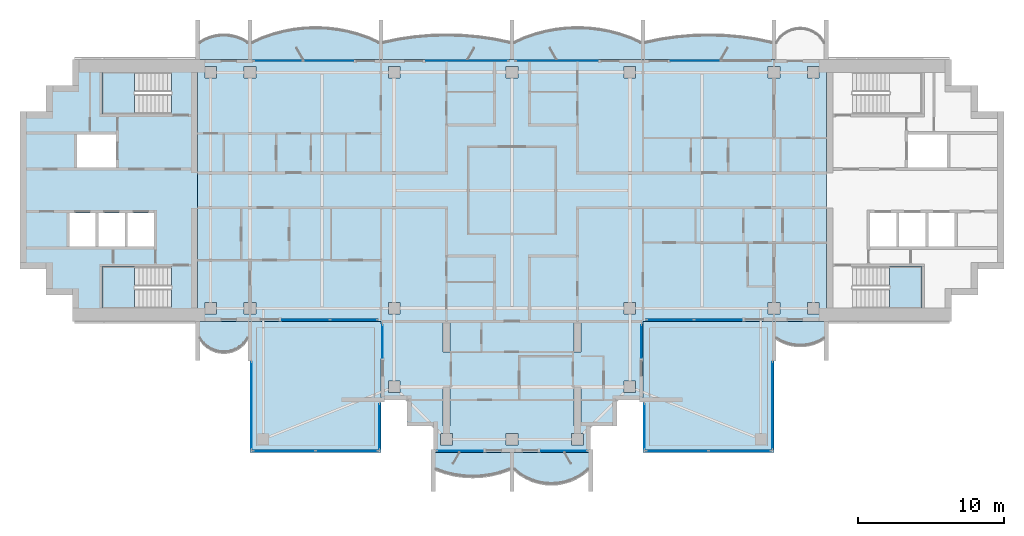
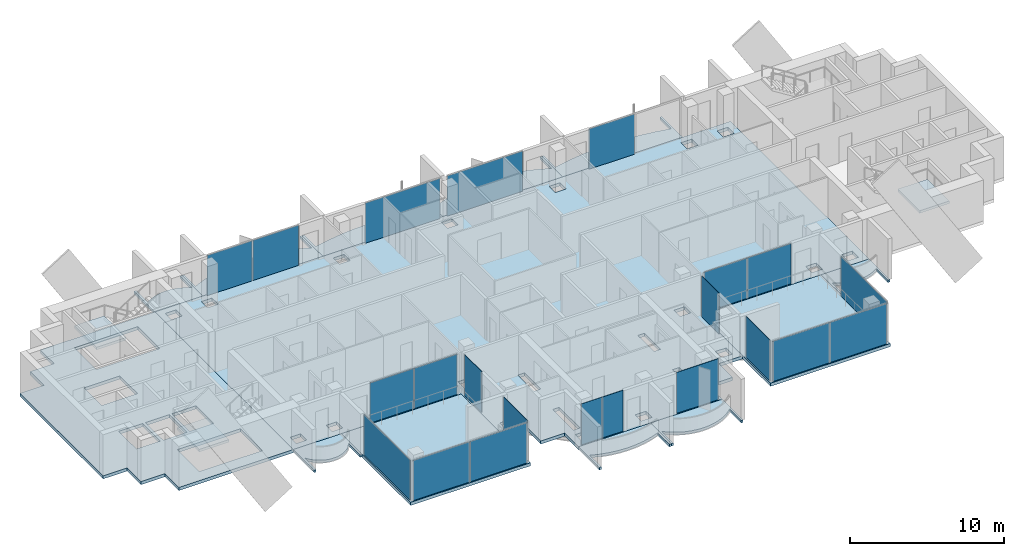
# One storey, part 5 of 16: 21 plates, 16 slabs, 19 elements without a shape of their own.
"""IFC4 building model written with IfcOpenShell, lengths in metres."""

from ifc_helpers import new_model, si_unit, direction, frame, origin, origin_2d, place, context, subcontext, project, spatial, polyline, rectangle, outline, extrude, material, layer, layer_set, type_object, element, aggregate, save


model = new_model("IFC4")

# Units and contexts
model_context = context("Model", 3, precision=1e-05, world=origin(), true_north=direction((0.0, 1.0)))
body_context = subcontext(model_context, "Body", "Model", "MODEL_VIEW")
ifc_project = project(units=[si_unit("LENGTHUNIT", "METRE"), si_unit("AREAUNIT", "SQUARE_METRE"), si_unit("VOLUMEUNIT", "CUBIC_METRE"), si_unit("PLANEANGLEUNIT", "RADIAN"), si_unit("MASSUNIT", "GRAM", prefix="KILO")], contexts=[model_context])

# Site, building, storey
site_placement = place(None, origin())
site = spatial("IfcSite", under=ifc_project, at=site_placement, CompositionType="ELEMENT")
building_placement = place(site_placement, origin())
building = spatial("IfcBuilding", under=site, at=building_placement, Name="Perihelion Cross Residences", CompositionType="ELEMENT")
storey_placement = place(building_placement, frame((0.0, 0.0, 260.5)))
storey = spatial("IfcBuildingStorey", under=building, at=storey_placement, Name="L66", CompositionType="ELEMENT", Elevation=260.5)

# Slabs
ifc_material_1 = material(Name="Concrete C40/50", Category="concrete")
ifc_layer_1 = layer(ifc_material_1, 0.199951171875)
ifc_layer_set_1 = layer_set([ifc_layer_1], Name="Balcony slab 200")
slab_type_1 = type_object("IfcSlabType", Name="Balcony slab 200", PredefinedType="FLOOR", material=ifc_layer_set_1)
slab_1_placement = place(storey_placement, frame((0.0, 0.0, -0.199951171875)))
element("IfcSlab", 1, at=slab_1_placement, inside=storey, type_object=slab_type_1, Name="Slab BK1 L66 east side north bay 2 balcony", PredefinedType="FLOOR", context=body_context, shape_type="SweptSolid", body=[
    extrude(outline(polyline([(18.0, 9.0), (9.0, 9.0), (9.0, 11.699951171875), (9.14990234375, 11.699951171875), (9.14990234375, 10.199951171875), (10.237548828125, 10.42041015625), (11.324951171875, 10.576171875), (12.41259765625, 10.669189453125), (13.5, 10.699951171875), (14.58740234375, 10.669189453125), (15.675048828125, 10.576171875), (16.762451171875, 10.42041015625), (17.85009765625, 10.199951171875), (17.85009765625, 11.699951171875), (18.0, 11.699951171875), (18.0, 9.0)])), origin(), (0.0, 0.0, 1.0), 0.199951171875),
])
slab_2_placement = place(storey_placement, frame((0.0, 0.0, -0.199951171875)))
element("IfcSlab", 2, at=slab_2_placement, inside=storey, type_object=slab_type_1, Name="Slab BK1 L66 north side east bay 1 balcony", PredefinedType="FLOOR", context=body_context, shape_type="SweptSolid", body=[
    extrude(outline(polyline([(9.0, 9.0), (0.0, 9.0), (0.0, 11.699951171875), (0.14990234375, 11.699951171875), (0.14990234375, 10.199951171875), (0.875, 10.51708984375), (1.60009765625, 10.7685546875), (2.324951171875, 10.959716796875), (3.050048828125, 11.093994140625), (3.77490234375, 11.173583984375), (4.5, 11.199951171875), (5.22509765625, 11.173583984375), (5.949951171875, 11.093994140625), (6.675048828125, 10.959716796875), (7.39990234375, 10.7685546875), (8.125, 10.51708984375), (8.85009765625, 10.199951171875), (8.85009765625, 11.699951171875), (9.0, 11.699951171875), (9.0, 9.0)])), origin(), (0.0, 0.0, 1.0), 0.199951171875),
])
slab_3_placement = place(storey_placement, frame((0.0, 0.0, -0.199951171875)))
element("IfcSlab", 3, at=slab_3_placement, inside=storey, type_object=slab_type_1, Name="Slab BK1 L66 north side east bay 2 balcony", PredefinedType="FLOOR", context=body_context, shape_type="SweptSolid", body=[
    extrude(outline(polyline([(0.0, 9.0), (-9.0, 9.0), (-9.0, 11.699951171875), (-8.85009765625, 11.699951171875), (-8.85009765625, 10.199951171875), (-7.762451171875, 10.42041015625), (-6.675048828125, 10.576171875), (-5.58740234375, 10.669189453125), (-4.5, 10.699951171875), (-3.41259765625, 10.669189453125), (-2.324951171875, 10.576171875), (-1.237548828125, 10.42041015625), (-0.14990234375, 10.199951171875), (-0.14990234375, 11.699951171875), (0.0, 11.699951171875), (0.0, 9.0)])), origin(), (0.0, 0.0, 1.0), 0.199951171875),
])
slab_4_placement = place(storey_placement, frame((0.0, 0.0, -0.199951171875)))
element("IfcSlab", 4, at=slab_4_placement, inside=storey, type_object=slab_type_1, Name="Slab BK1 L66 west side north bay 1 balcony", PredefinedType="FLOOR", context=body_context, shape_type="SweptSolid", body=[
    extrude(outline(polyline([(-9.0, 9.0), (-18.0, 9.0), (-18.0, 11.699951171875), (-17.85009765625, 11.699951171875), (-17.85009765625, 10.199951171875), (-17.125, 10.51708984375), (-16.39990234375, 10.7685546875), (-15.675048828125, 10.959716796875), (-14.949951171875, 11.093994140625), (-14.22509765625, 11.173583984375), (-13.5, 11.199951171875), (-12.77490234375, 11.173583984375), (-12.050048828125, 11.093994140625), (-11.324951171875, 10.959716796875), (-10.60009765625, 10.7685546875), (-9.875, 10.51708984375), (-9.14990234375, 10.199951171875), (-9.14990234375, 11.699951171875), (-9.0, 11.699951171875), (-9.0, 9.0)])), origin(), (0.0, 0.0, 1.0), 0.199951171875),
])
slab_5_placement = place(storey_placement, frame((0.0, 0.0, -0.199951171875)))
element("IfcSlab", 5, at=slab_5_placement, inside=storey, type_object=slab_type_1, Name="Slab BK1 L66 west side north bay 2 balcony", PredefinedType="FLOOR", context=body_context, shape_type="SweptSolid", body=[
    extrude(outline(polyline([(-18.0, 9.0), (-21.60009765625, 9.0), (-21.60009765625, 11.699951171875), (-21.449951171875, 11.699951171875), (-21.449951171875, 10.199951171875), (-21.083251953125, 10.40869140625), (-20.716552734375, 10.55517578125), (-20.35009765625, 10.648681640625), (-19.9833984375, 10.6943359375), (-19.61669921875, 10.6943359375), (-19.25, 10.648681640625), (-18.88330078125, 10.55517578125), (-18.5166015625, 10.40869140625), (-18.14990234375, 10.199951171875), (-18.14990234375, 11.699951171875), (-18.0, 11.699951171875), (-18.0, 9.0)])), origin(), (0.0, 0.0, 1.0), 0.199951171875),
])
slab_6_placement = place(storey_placement, frame((0.0, 0.0, -0.199951171875)))
element("IfcSlab", 6, at=slab_6_placement, inside=storey, type_object=slab_type_1, Name="Slab BK1 L66 west side south bay 1 balcony", PredefinedType="FLOOR", context=body_context, shape_type="SweptSolid", body=[
    extrude(outline(polyline([(-21.60009765625, -9.0), (-18.0, -9.0), (-18.0, -11.699951171875), (-18.14990234375, -11.699951171875), (-18.14990234375, -10.199951171875), (-18.425048828125, -10.568603515625), (-18.699951171875, -10.806396484375), (-18.97509765625, -10.96875), (-19.25, -11.07568359375), (-19.52490234375, -11.136962890625), (-19.800048828125, -11.156982421875), (-20.074951171875, -11.136962890625), (-20.35009765625, -11.07568359375), (-20.625, -10.96875), (-20.89990234375, -10.806396484375), (-21.175048828125, -10.568603515625), (-21.449951171875, -10.199951171875), (-21.449951171875, -11.699951171875), (-21.60009765625, -11.699951171875), (-21.60009765625, -9.0)])), origin(), (0.0, 0.0, 1.0), 0.199951171875),
])
slab_7_placement = place(storey_placement, frame((0.0, 0.0, -0.199951171875)))
element("IfcSlab", 7, at=slab_7_placement, inside=storey, type_object=slab_type_1, Name="Slab BK1 L66 south tip south bay 1 balcony", PredefinedType="FLOOR", context=body_context, shape_type="SweptSolid", body=[
    extrude(outline(polyline([(-5.39990234375, -18.0), (0.0, -18.0), (0.0, -20.699951171875), (-0.14990234375, -20.699951171875), (-0.14990234375, -19.199951171875), (-0.78759765625, -19.423583984375), (-1.425048828125, -19.57861328125), (-2.0625, -19.669921875), (-2.699951171875, -19.699951171875), (-3.33740234375, -19.669921875), (-3.97509765625, -19.57861328125), (-4.612548828125, -19.423583984375), (-5.25, -19.199951171875), (-5.25, -20.699951171875), (-5.39990234375, -20.699951171875), (-5.39990234375, -18.0)])), origin(), (0.0, 0.0, 1.0), 0.199951171875),
])
slab_8_placement = place(storey_placement, frame((0.0, 0.0, -0.199951171875)))
element("IfcSlab", 8, at=slab_8_placement, inside=storey, type_object=slab_type_1, Name="Slab BK1 L66 south tip south bay 2 balcony", PredefinedType="FLOOR", context=body_context, shape_type="SweptSolid", body=[
    extrude(outline(polyline([(0.0, -18.0), (5.39990234375, -18.0), (5.39990234375, -20.699951171875), (5.25, -20.699951171875), (5.25, -19.199951171875), (4.824951171875, -19.5400390625), (4.39990234375, -19.792724609375), (3.97509765625, -19.9765625), (3.550048828125, -20.1025390625), (3.125, -20.17578125), (2.699951171875, -20.199951171875), (2.27490234375, -20.17578125), (1.85009765625, -20.1025390625), (1.425048828125, -19.9765625), (1.0, -19.792724609375), (0.574951171875, -19.5400390625), (0.14990234375, -19.199951171875), (0.14990234375, -20.699951171875), (0.0, -20.699951171875), (0.0, -18.0)])), origin(), (0.0, 0.0, 1.0), 0.199951171875),
])
slab_9_placement = place(storey_placement, frame((0.0, 0.0, -0.199951171875)))
element("IfcSlab", 9, at=slab_9_placement, inside=storey, type_object=slab_type_1, Name="Slab BK1 L66 east side south bay 2 balcony", PredefinedType="FLOOR", context=body_context, shape_type="SweptSolid", body=[
    extrude(outline(polyline([(18.0, -9.0), (21.60009765625, -9.0), (21.60009765625, -11.699951171875), (21.449951171875, -11.699951171875), (21.449951171875, -10.199951171875), (21.083251953125, -10.40869140625), (20.716552734375, -10.55517578125), (20.35009765625, -10.648681640625), (19.9833984375, -10.6943359375), (19.61669921875, -10.6943359375), (19.25, -10.648681640625), (18.88330078125, -10.55517578125), (18.5166015625, -10.40869140625), (18.14990234375, -10.199951171875), (18.14990234375, -11.699951171875), (18.0, -11.699951171875), (18.0, -9.0)])), origin(), (0.0, 0.0, 1.0), 0.199951171875),
])

# Curtain wall, plate
ifc_material_2 = material(Name="Bronze anodised aluminium, tinted glazing", Category="aluminium")
curtain_wall_type_1 = type_object("IfcCurtainWallType", Name="CW1", PredefinedType="NOTDEFINED", material=ifc_material_2)
curtain_wall_1_placement = place(storey_placement, origin())
curtain_wall_1 = element("IfcCurtainWall", 10, at=curtain_wall_1_placement, inside=storey, type_object=curtain_wall_type_1, Name="Curtain wall CW1 L66 east side north bay 2", PredefinedType="NOTDEFINED")
ifc_material_3 = material(Name="Tinted laminated glass", Category="glass")
ifc_layer_2 = layer(ifc_material_3, 0.028076171875)
ifc_layer_set_2 = layer_set([ifc_layer_2], Name="CW1 panel")
plate_type_1 = type_object("IfcPlateType", Name="CW1 panel", PredefinedType="CURTAIN_PANEL", material=ifc_layer_set_2)
plate_1_placement = place(storey_placement, frame((12.610107421875, 8.89990234375, 0.0), z_axis=(0.0, 0.0, 1.0), x_axis=(-1.0, 0.0, 0.0)))
plate_1 = element("IfcPlate", 11, at=plate_1_placement, type_object=plate_type_1, Name="CW1 panel 2", PredefinedType="CURTAIN_PANEL", context=body_context, shape_type="SweptSolid", body=[
    extrude(rectangle(XDim=3.419921875, YDim=0.028076171875, at=origin_2d()), origin(), (0.0, 0.0, 1.0), 3.18994140625),
])
aggregate(curtain_wall_1, [plate_1])

curtain_wall_2_placement = place(storey_placement, origin())
curtain_wall_2 = element("IfcCurtainWall", 12, at=curtain_wall_2_placement, inside=storey, type_object=curtain_wall_type_1, Name="Curtain wall CW1 L66 north side east bay 1", PredefinedType="NOTDEFINED")
plate_2_placement = place(storey_placement, frame((3.080078125, 8.89990234375, 0.0), z_axis=(0.0, 0.0, 1.0), x_axis=(-1.0, 0.0, 0.0)))
plate_2 = element("IfcPlate", 13, at=plate_2_placement, type_object=plate_type_1, Name="CW1 panel 1", PredefinedType="CURTAIN_PANEL", context=body_context, shape_type="SweptSolid", body=[
    extrude(rectangle(XDim=5.639892578125, YDim=0.028076171875, at=origin_2d()), origin(), (0.0, 0.0, 1.0), 3.18994140625),
])
aggregate(curtain_wall_2, [plate_2])

curtain_wall_3_placement = place(storey_placement, origin())
curtain_wall_3 = element("IfcCurtainWall", 14, at=curtain_wall_3_placement, inside=storey, type_object=curtain_wall_type_1, Name="Curtain wall CW1 L66 north side east bay 2", PredefinedType="NOTDEFINED")
plate_3_placement = place(storey_placement, frame((-3.080078125, 8.89990234375, 0.0), z_axis=(0.0, 0.0, 1.0), x_axis=(-1.0, 0.0, 0.0)))
plate_3 = element("IfcPlate", 15, at=plate_3_placement, type_object=plate_type_1, Name="CW1 panel 1", PredefinedType="CURTAIN_PANEL", context=body_context, shape_type="SweptSolid", body=[
    extrude(rectangle(XDim=5.639892578125, YDim=0.028076171875, at=origin_2d()), origin(), (0.0, 0.0, 1.0), 3.18994140625),
])
aggregate(curtain_wall_3, [plate_3])

# Curtain wall, plates
curtain_wall_4_placement = place(storey_placement, origin())
curtain_wall_4 = element("IfcCurtainWall", 16, at=curtain_wall_4_placement, inside=storey, type_object=curtain_wall_type_1, Name="Curtain wall CW1 L66 west side north bay 1", PredefinedType="NOTDEFINED")
plate_4_placement = place(storey_placement, frame((-12.610107421875, 8.89990234375, 0.0), z_axis=(0.0, 0.0, 1.0), x_axis=(-1.0, 0.0, 0.0)))
plate_4 = element("IfcPlate", 17, at=plate_4_placement, type_object=plate_type_1, Name="CW1 panel 1", PredefinedType="CURTAIN_PANEL", context=body_context, shape_type="SweptSolid", body=[
    extrude(rectangle(XDim=3.419921875, YDim=0.028076171875, at=origin_2d()), origin(), (0.0, 0.0, 1.0), 3.18994140625),
])
plate_5_placement = place(storey_placement, frame((-16.06005859375, 8.89990234375, 0.0), z_axis=(0.0, 0.0, 1.0), x_axis=(-1.0, 0.0, 0.0)))
plate_5 = element("IfcPlate", 18, at=plate_5_placement, type_object=plate_type_1, Name="CW1 panel 2", PredefinedType="CURTAIN_PANEL", context=body_context, shape_type="SweptSolid", body=[
    extrude(rectangle(XDim=3.360107421875, YDim=0.028076171875, at=origin_2d()), origin(), (0.0, 0.0, 1.0), 3.18994140625),
])
aggregate(curtain_wall_4, [plate_4, plate_5])

curtain_wall_5_placement = place(storey_placement, origin())
curtain_wall_5 = element("IfcCurtainWall", 19, at=curtain_wall_5_placement, inside=storey, type_object=curtain_wall_type_1, Name="Curtain wall CW1 L66 west side south bay 2", PredefinedType="NOTDEFINED")
plate_6_placement = place(storey_placement, frame((-14.1650390625, -8.89990234375, 0.0), z_axis=(0.0, 0.0, 1.0), x_axis=(1.0, 0.0, 0.0)))
plate_6 = element("IfcPlate", 20, at=plate_6_placement, type_object=plate_type_1, Name="CW1 panel 1", PredefinedType="CURTAIN_PANEL", context=body_context, shape_type="SweptSolid", body=[
    extrude(rectangle(XDim=3.27001953125, YDim=0.028076171875, at=origin_2d()), origin(), (0.0, 0.0, 1.0), 3.18994140625),
])
plate_7_placement = place(storey_placement, frame((-10.864990234375, -8.89990234375, 0.0), z_axis=(0.0, 0.0, 1.0), x_axis=(1.0, 0.0, 0.0)))
plate_7 = element("IfcPlate", 21, at=plate_7_placement, type_object=plate_type_1, Name="CW1 panel 2", PredefinedType="CURTAIN_PANEL", context=body_context, shape_type="SweptSolid", body=[
    extrude(rectangle(XDim=3.2099609375, YDim=0.028076171875, at=origin_2d()), origin(), (0.0, 0.0, 1.0), 3.18994140625),
])
aggregate(curtain_wall_5, [plate_6, plate_7])

# Curtain wall, plate
curtain_wall_6_placement = place(storey_placement, origin())
curtain_wall_6 = element("IfcCurtainWall", 22, at=curtain_wall_6_placement, inside=storey, type_object=curtain_wall_type_1, Name="Curtain wall CW1 L66 south side west bay 1", PredefinedType="NOTDEFINED")
plate_8_placement = place(storey_placement, frame((-8.89990234375, -10.3798828125, 0.0), z_axis=(0.0, 0.0, 1.0), x_axis=(0.0, -1.0, 0.0)))
plate_8 = element("IfcPlate", 23, at=plate_8_placement, type_object=plate_type_1, Name="CW1 panel 1", PredefinedType="CURTAIN_PANEL", context=body_context, shape_type="SweptSolid", body=[
    extrude(rectangle(XDim=2.239990234375, YDim=0.028076171875, at=origin_2d()), origin(), (0.0, 0.0, 1.0), 3.25),
])
aggregate(curtain_wall_6, [plate_8])

curtain_wall_7_placement = place(storey_placement, origin())
curtain_wall_7 = element("IfcCurtainWall", 24, at=curtain_wall_7_placement, inside=storey, type_object=curtain_wall_type_1, Name="Curtain wall CW1 L66 south tip south bay 1", PredefinedType="NOTDEFINED")
plate_9_placement = place(storey_placement, frame((-3.570068359375, -17.89990234375, 0.0), z_axis=(0.0, 0.0, 1.0), x_axis=(1.0, 0.0, 0.0)))
plate_9 = element("IfcPlate", 25, at=plate_9_placement, type_object=plate_type_1, Name="CW1 panel 1", PredefinedType="CURTAIN_PANEL", context=body_context, shape_type="SweptSolid", body=[
    extrude(rectangle(XDim=3.139892578125, YDim=0.028076171875, at=origin_2d()), origin(), (0.0, 0.0, 1.0), 3.25),
])
aggregate(curtain_wall_7, [plate_9])

curtain_wall_8_placement = place(storey_placement, origin())
curtain_wall_8 = element("IfcCurtainWall", 26, at=curtain_wall_8_placement, inside=storey, type_object=curtain_wall_type_1, Name="Curtain wall CW1 L66 south tip south bay 2", PredefinedType="NOTDEFINED")
plate_10_placement = place(storey_placement, frame((3.570068359375, -17.89990234375, 0.0), z_axis=(0.0, 0.0, 1.0), x_axis=(1.0, 0.0, 0.0)))
plate_10 = element("IfcPlate", 27, at=plate_10_placement, type_object=plate_type_1, Name="CW1 panel 1", PredefinedType="CURTAIN_PANEL", context=body_context, shape_type="SweptSolid", body=[
    extrude(rectangle(XDim=3.139892578125, YDim=0.028076171875, at=origin_2d()), origin(), (0.0, 0.0, 1.0), 3.25),
])
aggregate(curtain_wall_8, [plate_10])

curtain_wall_9_placement = place(storey_placement, origin())
curtain_wall_9 = element("IfcCurtainWall", 28, at=curtain_wall_9_placement, inside=storey, type_object=curtain_wall_type_1, Name="Curtain wall CW1 L66 south side east bay 1", PredefinedType="NOTDEFINED")
plate_11_placement = place(storey_placement, frame((8.89990234375, -10.3798828125, 0.0), z_axis=(0.0, 0.0, 1.0), x_axis=(0.0, 1.0, 0.0)))
plate_11 = element("IfcPlate", 29, at=plate_11_placement, type_object=plate_type_1, Name="CW1 panel 1", PredefinedType="CURTAIN_PANEL", context=body_context, shape_type="SweptSolid", body=[
    extrude(rectangle(XDim=2.239990234375, YDim=0.028076171875, at=origin_2d()), origin(), (0.0, 0.0, 1.0), 3.25),
])
aggregate(curtain_wall_9, [plate_11])

# Curtain wall, plates
curtain_wall_10_placement = place(storey_placement, origin())
curtain_wall_10 = element("IfcCurtainWall", 30, at=curtain_wall_10_placement, inside=storey, type_object=curtain_wall_type_1, Name="Curtain wall CW1 L66 east side south bay 1", PredefinedType="NOTDEFINED")
plate_12_placement = place(storey_placement, frame((10.864990234375, -8.89990234375, 0.0), z_axis=(0.0, 0.0, 1.0), x_axis=(1.0, 0.0, 0.0)))
plate_12 = element("IfcPlate", 31, at=plate_12_placement, type_object=plate_type_1, Name="CW1 panel 1", PredefinedType="CURTAIN_PANEL", context=body_context, shape_type="SweptSolid", body=[
    extrude(rectangle(XDim=3.2099609375, YDim=0.028076171875, at=origin_2d()), origin(), (0.0, 0.0, 1.0), 3.18994140625),
])
plate_13_placement = place(storey_placement, frame((14.1650390625, -8.89990234375, 0.0), z_axis=(0.0, 0.0, 1.0), x_axis=(1.0, 0.0, 0.0)))
plate_13 = element("IfcPlate", 32, at=plate_13_placement, type_object=plate_type_1, Name="CW1 panel 2", PredefinedType="CURTAIN_PANEL", context=body_context, shape_type="SweptSolid", body=[
    extrude(rectangle(XDim=3.27001953125, YDim=0.028076171875, at=origin_2d()), origin(), (0.0, 0.0, 1.0), 3.18994140625),
])
aggregate(curtain_wall_10, [plate_12, plate_13])

# Curtain wall, plate
ifc_material_4 = material(Name="Bronze anodised aluminium, tinted glazing", Category="aluminium")
curtain_wall_type_2 = type_object("IfcCurtainWallType", Name="CW4", PredefinedType="NOTDEFINED", material=ifc_material_4)
curtain_wall_11_placement = place(storey_placement, origin())
curtain_wall_11 = element("IfcCurtainWall", 33, at=curtain_wall_11_placement, inside=storey, type_object=curtain_wall_type_2, Name="Curtain wall CW4 L66 pocket south-east 1 1", PredefinedType="NOTDEFINED")
ifc_material_5 = material(Name="Tinted laminated glass", Category="glass")
ifc_layer_3 = layer(ifc_material_5, 0.030029296875)
ifc_layer_set_3 = layer_set([ifc_layer_3], Name="CW4 panel")
plate_type_2 = type_object("IfcPlateType", Name="CW4 panel", PredefinedType="CURTAIN_PANEL", material=ifc_layer_set_3)
plate_14_placement = place(storey_placement, frame((17.89990234375, -14.784912109375, 0.0), z_axis=(0.0, 0.0, 1.0), x_axis=(0.0, -1.0, 0.0)))
plate_14 = element("IfcPlate", 34, at=plate_14_placement, type_object=plate_type_2, Name="CW4 panel 1", PredefinedType="CURTAIN_PANEL", context=body_context, shape_type="SweptSolid", body=[
    extrude(rectangle(XDim=5.969970703125, YDim=0.030029296875, at=origin_2d()), origin(), (0.0, 0.0, 1.0), 3.18994140625),
])
aggregate(curtain_wall_11, [plate_14])

# Curtain wall, plates
curtain_wall_12_placement = place(storey_placement, origin())
curtain_wall_12 = element("IfcCurtainWall", 35, at=curtain_wall_12_placement, inside=storey, type_object=curtain_wall_type_2, Name="Curtain wall CW4 L66 pocket south-east 1 2", PredefinedType="NOTDEFINED")
plate_15_placement = place(storey_placement, frame((15.64990234375, -17.89990234375, 0.0), z_axis=(0.0, 0.0, 1.0), x_axis=(-1.0, 0.0, 0.0)))
plate_15 = element("IfcPlate", 36, at=plate_15_placement, type_object=plate_type_2, Name="CW4 panel 1", PredefinedType="CURTAIN_PANEL", context=body_context, shape_type="SweptSolid", body=[
    extrude(rectangle(XDim=4.239990234375, YDim=0.030029296875, at=origin_2d()), origin(), (0.0, 0.0, 1.0), 3.18994140625),
])
plate_16_placement = place(storey_placement, frame((11.35009765625, -17.89990234375, 0.0), z_axis=(0.0, 0.0, 1.0), x_axis=(-1.0, 0.0, 0.0)))
plate_16 = element("IfcPlate", 37, at=plate_16_placement, type_object=plate_type_2, Name="CW4 panel 2", PredefinedType="CURTAIN_PANEL", context=body_context, shape_type="SweptSolid", body=[
    extrude(rectangle(XDim=4.239990234375, YDim=0.030029296875, at=origin_2d()), origin(), (0.0, 0.0, 1.0), 3.18994140625),
])
aggregate(curtain_wall_12, [plate_15, plate_16])

# Curtain wall, plate
curtain_wall_13_placement = place(storey_placement, origin())
curtain_wall_13 = element("IfcCurtainWall", 38, at=curtain_wall_13_placement, inside=storey, type_object=curtain_wall_type_2, Name="Curtain wall CW4 L66 pocket south-east 1 3", PredefinedType="NOTDEFINED")
plate_17_placement = place(storey_placement, frame((9.10009765625, -16.2294921875, 0.0), z_axis=(0.0, 0.0, 1.0), x_axis=(0.0, 1.0, 0.0)))
plate_17 = element("IfcPlate", 39, at=plate_17_placement, type_object=plate_type_2, Name="CW4 panel 1", PredefinedType="CURTAIN_PANEL", context=body_context, shape_type="SweptSolid", body=[
    extrude(rectangle(XDim=3.0810546875, YDim=0.030029296875, at=origin_2d()), origin(), (0.0, 0.0, 1.0), 3.25),
])
aggregate(curtain_wall_13, [plate_17])

curtain_wall_14_placement = place(storey_placement, origin())
curtain_wall_14 = element("IfcCurtainWall", 40, at=curtain_wall_14_placement, inside=storey, type_object=curtain_wall_type_2, Name="Curtain wall CW4 L66 pocket south-west 1 1", PredefinedType="NOTDEFINED")
plate_18_placement = place(storey_placement, frame((-9.10009765625, -16.2294921875, 0.0), z_axis=(0.0, 0.0, 1.0), x_axis=(0.0, -1.0, 0.0)))
plate_18 = element("IfcPlate", 41, at=plate_18_placement, type_object=plate_type_2, Name="CW4 panel 1", PredefinedType="CURTAIN_PANEL", context=body_context, shape_type="SweptSolid", body=[
    extrude(rectangle(XDim=3.0810546875, YDim=0.030029296875, at=origin_2d()), origin(), (0.0, 0.0, 1.0), 3.25),
])
aggregate(curtain_wall_14, [plate_18])

# Curtain wall, plates
curtain_wall_15_placement = place(storey_placement, origin())
curtain_wall_15 = element("IfcCurtainWall", 42, at=curtain_wall_15_placement, inside=storey, type_object=curtain_wall_type_2, Name="Curtain wall CW4 L66 pocket south-west 1 2", PredefinedType="NOTDEFINED")
plate_19_placement = place(storey_placement, frame((-11.35009765625, -17.89990234375, 0.0), z_axis=(0.0, 0.0, 1.0), x_axis=(-1.0, 0.0, 0.0)))
plate_19 = element("IfcPlate", 43, at=plate_19_placement, type_object=plate_type_2, Name="CW4 panel 1", PredefinedType="CURTAIN_PANEL", context=body_context, shape_type="SweptSolid", body=[
    extrude(rectangle(XDim=4.239990234375, YDim=0.030029296875, at=origin_2d()), origin(), (0.0, 0.0, 1.0), 3.18994140625),
])
plate_20_placement = place(storey_placement, frame((-15.64990234375, -17.89990234375, 0.0), z_axis=(0.0, 0.0, 1.0), x_axis=(-1.0, 0.0, 0.0)))
plate_20 = element("IfcPlate", 44, at=plate_20_placement, type_object=plate_type_2, Name="CW4 panel 2", PredefinedType="CURTAIN_PANEL", context=body_context, shape_type="SweptSolid", body=[
    extrude(rectangle(XDim=4.239990234375, YDim=0.030029296875, at=origin_2d()), origin(), (0.0, 0.0, 1.0), 3.18994140625),
])
aggregate(curtain_wall_15, [plate_19, plate_20])

# Curtain wall, plate
curtain_wall_16_placement = place(storey_placement, origin())
curtain_wall_16 = element("IfcCurtainWall", 45, at=curtain_wall_16_placement, inside=storey, type_object=curtain_wall_type_2, Name="Curtain wall CW4 L66 pocket south-west 1 3", PredefinedType="NOTDEFINED")
plate_21_placement = place(storey_placement, frame((-17.89990234375, -14.784912109375, 0.0), z_axis=(0.0, 0.0, 1.0), x_axis=(0.0, 1.0, 0.0)))
plate_21 = element("IfcPlate", 46, at=plate_21_placement, type_object=plate_type_2, Name="CW4 panel 1", PredefinedType="CURTAIN_PANEL", context=body_context, shape_type="SweptSolid", body=[
    extrude(rectangle(XDim=5.969970703125, YDim=0.030029296875, at=origin_2d()), origin(), (0.0, 0.0, 1.0), 3.18994140625),
])
aggregate(curtain_wall_16, [plate_21])

# Slab
ifc_material_6 = material(Name="Concrete C40/50", Category="concrete")
ifc_layer_4 = layer(ifc_material_6, 0.25)
ifc_layer_set_4 = layer_set([ifc_layer_4], Name="Core floor slab 250")
slab_type_2 = type_object("IfcSlabType", Name="Core floor slab 250", PredefinedType="FLOOR", material=ifc_layer_set_4)
slab_10_placement = place(storey_placement, frame((0.0, 0.0, -0.25)))
element("IfcSlab", 47, at=slab_10_placement, inside=storey, type_object=slab_type_2, Name="West core floor slab", PredefinedType="FLOOR", context=body_context, shape_type="SweptSolid", body=[
    extrude(outline(polyline([(-30.199951171875, 7.199951171875), (-32.0, 7.199951171875), (-32.0, 5.39990234375), (-33.800048828125, 5.39990234375), (-33.800048828125, -5.39990234375), (-32.0, -5.39990234375), (-32.0, -7.199951171875), (-30.199951171875, -7.199951171875), (-30.199951171875, -9.0), (-21.60009765625, -9.0), (-21.60009765625, 9.0), (-30.199951171875, 9.0), (-30.199951171875, 7.199951171875)]), holes=[polyline([(-28.14990234375, -8.10009765625), (-28.14990234375, -5.25), (-23.405029296875, -5.25), (-23.405029296875, -8.10009765625), (-28.14990234375, -8.10009765625)]), polyline([(-24.60009765625, -1.550048828125), (-24.60009765625, -3.85009765625), (-26.39990234375, -3.85009765625), (-26.39990234375, -1.550048828125), (-24.60009765625, -1.550048828125)]), polyline([(-26.60009765625, -1.550048828125), (-26.60009765625, -3.85009765625), (-28.39990234375, -3.85009765625), (-28.39990234375, -1.550048828125), (-26.60009765625, -1.550048828125)]), polyline([(-28.60009765625, -3.85009765625), (-30.39990234375, -3.85009765625), (-30.39990234375, -1.550048828125), (-28.60009765625, -1.550048828125), (-28.60009765625, -3.85009765625)]), polyline([(-27.199951171875, 3.85009765625), (-27.199951171875, 1.550048828125), (-29.89990234375, 1.550048828125), (-29.89990234375, 3.85009765625), (-27.199951171875, 3.85009765625)]), polyline([(-23.405029296875, 5.25), (-28.14990234375, 5.25), (-28.14990234375, 8.10009765625), (-23.405029296875, 8.10009765625), (-23.405029296875, 5.25)])]), origin(), (0.0, 0.0, 1.0), 0.25),
])

# Stair, slab
ifc_material_7 = material(Name="Concrete C40/50", Category="concrete")
stair_type = type_object("IfcStairType", Name="Exit stair, half-turn", PredefinedType="HALF_TURN_STAIR", material=ifc_material_7)
stair_1_placement = place(storey_placement, origin())
stair_1 = element("IfcStair", 48, at=stair_1_placement, inside=storey, type_object=stair_type, Name="L66 East core exit stair 2", PredefinedType="HALF_TURN_STAIR")
ifc_material_8 = material(Name="Concrete C40/50", Category="concrete")
ifc_layer_5 = layer(ifc_material_8, 0.199951171875)
ifc_layer_set_5 = layer_set([ifc_layer_5], Name="Exit stair landing 200")
slab_type_3 = type_object("IfcSlabType", Name="Exit stair landing 200", PredefinedType="LANDING", material=ifc_layer_set_5)
slab_11_placement = place(storey_placement, frame((0.0, 0.0, 1.550048828125)))
slab_11 = element("IfcSlab", 49, at=slab_11_placement, type_object=slab_type_3, Name="ST-E2 landing 1", PredefinedType="LANDING", context=body_context, shape_type="SweptSolid", body=[
    extrude(outline(polyline([(25.919921875, -8.10009765625), (28.14990234375, -8.10009765625), (28.14990234375, -5.25), (25.919921875, -5.25), (25.919921875, -8.10009765625)])), origin(), (0.0, 0.0, 1.0), 0.199951171875),
])
aggregate(stair_1, [slab_11])

stair_2_placement = place(storey_placement, origin())
stair_2 = element("IfcStair", 50, at=stair_2_placement, inside=storey, type_object=stair_type, Name="L66 West core exit stair 1", PredefinedType="HALF_TURN_STAIR")
slab_12_placement = place(storey_placement, frame((0.0, 0.0, 1.550048828125)))
slab_12 = element("IfcSlab", 51, at=slab_12_placement, type_object=slab_type_3, Name="ST-W1 landing 1", PredefinedType="LANDING", context=body_context, shape_type="SweptSolid", body=[
    extrude(outline(polyline([(-25.919921875, 8.10009765625), (-28.14990234375, 8.10009765625), (-28.14990234375, 5.25), (-25.919921875, 5.25), (-25.919921875, 8.10009765625)])), origin(), (0.0, 0.0, 1.0), 0.199951171875),
])
aggregate(stair_2, [slab_12])

stair_3_placement = place(storey_placement, origin())
stair_3 = element("IfcStair", 52, at=stair_3_placement, inside=storey, type_object=stair_type, Name="L66 West core exit stair 2", PredefinedType="HALF_TURN_STAIR")
slab_13_placement = place(storey_placement, frame((0.0, 0.0, 1.550048828125)))
slab_13 = element("IfcSlab", 53, at=slab_13_placement, type_object=slab_type_3, Name="ST-W2 landing 1", PredefinedType="LANDING", context=body_context, shape_type="SweptSolid", body=[
    extrude(outline(polyline([(-25.919921875, -5.25), (-28.14990234375, -5.25), (-28.14990234375, -8.10009765625), (-25.919921875, -8.10009765625), (-25.919921875, -5.25)])), origin(), (0.0, 0.0, 1.0), 0.199951171875),
])
aggregate(stair_3, [slab_13])

# Slabs
ifc_material_9 = material(Name="Concrete C50/60", Category="concrete")
ifc_layer_6 = layer(ifc_material_9, 0.25)
ifc_layer_set_6 = layer_set([ifc_layer_6], Name="Residential floor post-tensioned slab concrete C50/60")
slab_type_4 = type_object("IfcSlabType", Name="Residential floor post-tensioned slab concrete C50/60", PredefinedType="FLOOR", material=ifc_layer_set_6)
slab_14_placement = place(storey_placement, frame((0.0, 0.0, -0.25)))
element("IfcSlab", 54, at=slab_14_placement, inside=storey, type_object=slab_type_4, Name="Slab SL8 L66 1 no. 1", PredefinedType="FLOOR", context=body_context, shape_type="SweptSolid", body=[
    extrude(outline(polyline([(-9.0, 9.0), (9.0, 9.0), (21.60009765625, 9.0), (21.60009765625, -9.0), (9.0, -9.0), (9.0, -14.39990234375), (7.199951171875, -14.39990234375), (7.199951171875, -16.199951171875), (5.39990234375, -16.199951171875), (5.39990234375, -18.0), (-5.39990234375, -18.0), (-5.39990234375, -16.199951171875), (-7.199951171875, -16.199951171875), (-7.199951171875, -14.39990234375), (-9.0, -14.39990234375), (-9.0, -9.0), (-21.60009765625, -9.0), (-21.60009765625, 9.0), (-9.0, 9.0)]), holes=[polyline([(-4.10009765625, -16.699951171875), (-4.89990234375, -16.699951171875), (-4.89990234375, -17.5), (-4.10009765625, -17.5), (-4.10009765625, -16.699951171875)]), polyline([(0.39990234375, -17.5), (0.39990234375, -16.699951171875), (-0.39990234375, -16.699951171875), (-0.39990234375, -17.5), (0.39990234375, -17.5)]), polyline([(-4.25, -16.199951171875), (-4.25, -13.5), (-4.75, -13.5), (-4.75, -16.199951171875), (-4.25, -16.199951171875)]), polyline([(-7.699951171875, -13.10009765625), (-8.5, -13.10009765625), (-8.5, -13.89990234375), (-7.699951171875, -13.89990234375), (-7.699951171875, -13.10009765625)]), polyline([(-4.25, -11.10009765625), (-4.25, -9.0), (-4.75, -9.0), (-4.75, -11.10009765625), (-4.25, -11.10009765625)]), polyline([(-20.300048828125, -8.5), (-20.300048828125, -7.699951171875), (-21.10009765625, -7.699951171875), (-21.10009765625, -8.5), (-20.300048828125, -8.5)]), polyline([(-17.60009765625, -7.699951171875), (-18.39990234375, -7.699951171875), (-18.39990234375, -8.5), (-17.60009765625, -8.5), (-17.60009765625, -7.699951171875)]), polyline([(-7.699951171875, -8.5), (-7.699951171875, -7.699951171875), (-8.5, -7.699951171875), (-8.5, -8.5), (-7.699951171875, -8.5)]), polyline([(-20.300048828125, 8.5), (-21.10009765625, 8.5), (-21.10009765625, 7.699951171875), (-20.300048828125, 7.699951171875), (-20.300048828125, 8.5)]), polyline([(-17.60009765625, 7.699951171875), (-17.60009765625, 8.5), (-18.39990234375, 8.5), (-18.39990234375, 7.699951171875), (-17.60009765625, 7.699951171875)]), polyline([(-7.699951171875, 7.699951171875), (-7.699951171875, 8.5), (-8.5, 8.5), (-8.5, 7.699951171875), (-7.699951171875, 7.699951171875)]), polyline([(4.89990234375, -16.699951171875), (4.10009765625, -16.699951171875), (4.10009765625, -17.5), (4.89990234375, -17.5), (4.89990234375, -16.699951171875)]), polyline([(4.75, -16.199951171875), (4.75, -13.5), (4.25, -13.5), (4.25, -16.199951171875), (4.75, -16.199951171875)]), polyline([(8.5, -13.89990234375), (8.5, -13.10009765625), (7.699951171875, -13.10009765625), (7.699951171875, -13.89990234375), (8.5, -13.89990234375)]), polyline([(4.75, -9.0), (4.25, -9.0), (4.25, -11.10009765625), (4.75, -11.10009765625), (4.75, -9.0)]), polyline([(8.5, -8.5), (8.5, -7.699951171875), (7.699951171875, -7.699951171875), (7.699951171875, -8.5), (8.5, -8.5)]), polyline([(18.39990234375, -8.5), (18.39990234375, -7.699951171875), (17.60009765625, -7.699951171875), (17.60009765625, -8.5), (18.39990234375, -8.5)]), polyline([(21.10009765625, -7.699951171875), (20.300048828125, -7.699951171875), (20.300048828125, -8.5), (21.10009765625, -8.5), (21.10009765625, -7.699951171875)]), polyline([(0.39990234375, 7.699951171875), (0.39990234375, 8.5), (-0.39990234375, 8.5), (-0.39990234375, 7.699951171875), (0.39990234375, 7.699951171875)]), polyline([(8.5, 8.5), (7.699951171875, 8.5), (7.699951171875, 7.699951171875), (8.5, 7.699951171875), (8.5, 8.5)]), polyline([(18.39990234375, 7.699951171875), (18.39990234375, 8.5), (17.60009765625, 8.5), (17.60009765625, 7.699951171875), (18.39990234375, 7.699951171875)]), polyline([(21.10009765625, 7.699951171875), (21.10009765625, 8.5), (20.300048828125, 8.5), (20.300048828125, 7.699951171875), (21.10009765625, 7.699951171875)])]), origin(), (0.0, 0.0, 1.0), 0.25),
])
ifc_material_10 = material(Name="Concrete C40/50", Category="concrete")
ifc_layer_7 = layer(ifc_material_10, 0.25)
ifc_layer_set_7 = layer_set([ifc_layer_7], Name="Winter garden slab")
slab_type_5 = type_object("IfcSlabType", Name="Winter garden slab", PredefinedType="FLOOR", material=ifc_layer_set_7)
slab_15_placement = place(storey_placement, frame((0.0, 0.0, -0.25)))
element("IfcSlab", 55, at=slab_15_placement, inside=storey, type_object=slab_type_5, Name="Slab BK3 L66 pocket south-west", PredefinedType="FLOOR", context=body_context, shape_type="SweptSolid", body=[
    extrude(outline(polyline([(-9.0, -18.0), (-9.0, -9.0), (-18.0, -9.0), (-18.0, -18.0), (-9.0, -18.0)])), origin(), (0.0, 0.0, 1.0), 0.25),
])
slab_16_placement = place(storey_placement, frame((0.0, 0.0, -0.25)))
element("IfcSlab", 56, at=slab_16_placement, inside=storey, type_object=slab_type_5, Name="Slab BK3 L66 pocket south-east", PredefinedType="FLOOR", context=body_context, shape_type="SweptSolid", body=[
    extrude(outline(polyline([(18.0, -18.0), (18.0, -9.0), (9.0, -9.0), (9.0, -18.0), (18.0, -18.0)])), origin(), (0.0, 0.0, 1.0), 0.25),
])

save(model, "model.ifc")
